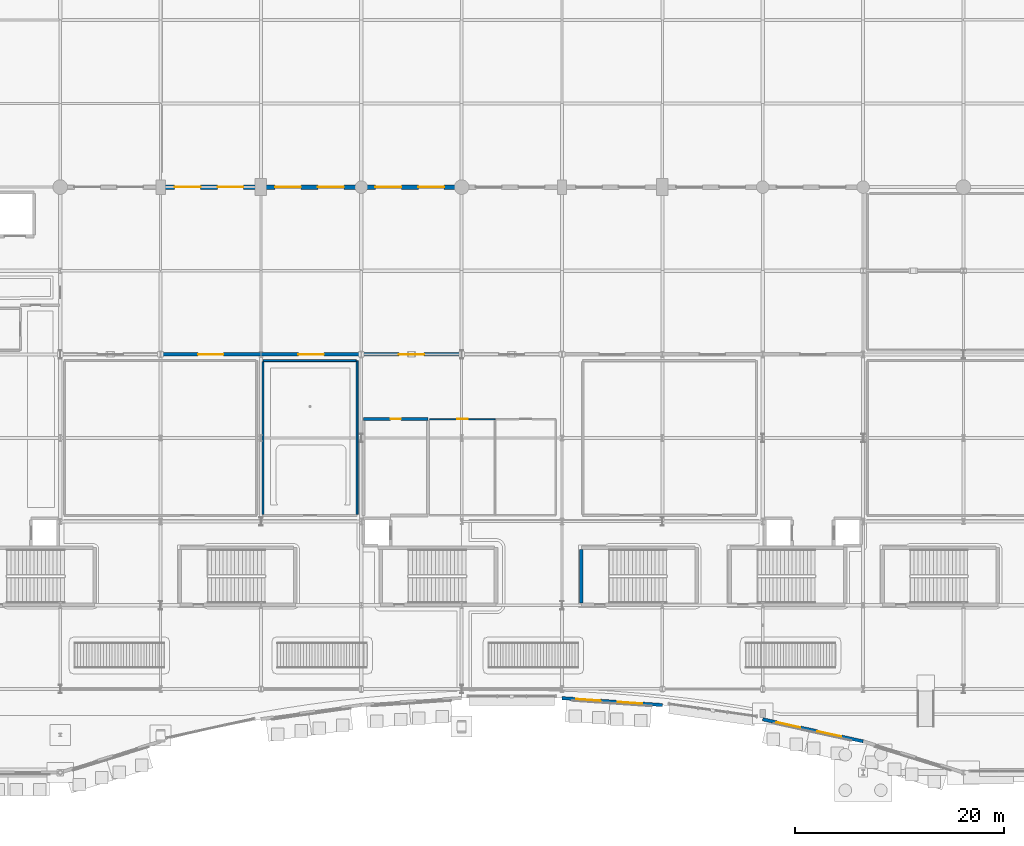
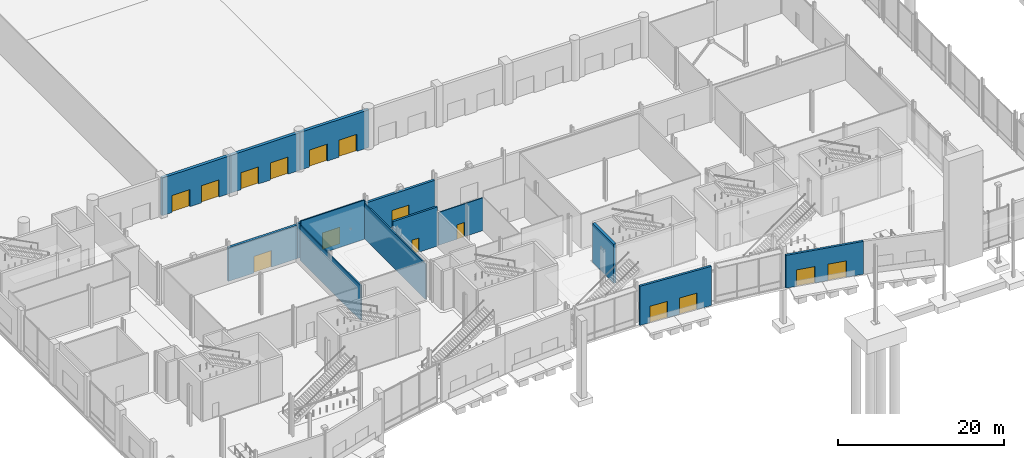
# One storey, part 74 of 124: 15 doors, 14 walls, 15 openings.
"""IFC4 building model written with IfcOpenShell, lengths in metres."""

from ifc_helpers import new_model, si_unit, direction, frame, frame_2d, origin, place, context, subcontext, project, spatial, rectangle, extrude, material, layer, layer_set, type_object, element, fill, save


model = new_model("IFC4")

# Units and contexts
model_context = context("Model", 3, precision=1e-05, world=origin(), true_north=direction((0.0, 1.0)))
body_context = subcontext(model_context, "Body", "Model", "MODEL_VIEW")
ifc_project = project(units=[si_unit("LENGTHUNIT", "METRE"), si_unit("AREAUNIT", "SQUARE_METRE"), si_unit("VOLUMEUNIT", "CUBIC_METRE"), si_unit("PLANEANGLEUNIT", "RADIAN"), si_unit("MASSUNIT", "GRAM", prefix="KILO")], contexts=[model_context])

# Site, building, storey
site_placement = place(None, origin())
site = spatial("IfcSite", under=ifc_project, at=site_placement, CompositionType="ELEMENT")
building_placement = place(site_placement, origin())
building = spatial("IfcBuilding", under=site, at=building_placement, Name="Danafjord Basin Convention Centre", CompositionType="ELEMENT")
storey_placement = place(building_placement, origin())
storey = spatial("IfcBuildingStorey", under=building, at=storey_placement, Name="L00", CompositionType="ELEMENT", Elevation=0.0)

# Wall
ifc_material_1 = material(Name="Concrete C45/55", Category="concrete")
ifc_layer_1 = layer(ifc_material_1, 0.35009765625)
ifc_layer_set_1 = layer_set([ifc_layer_1], Name="Concrete C45/55")
wall_type_1 = type_object("IfcWallType", Name="WALL-CW-CORE350", PredefinedType="SHEAR", material=ifc_layer_set_1)
wall_1_placement = place(storey_placement, frame((69.050048828125, 16.2099609375, 0.0), z_axis=(0.0, 0.0, 1.0), x_axis=(0.0, 1.0, 0.0)))
element("IfcWall", 1, at=wall_1_placement, inside=storey, type_object=wall_type_1, Name="Mid-Arc Escape Stair 2 core shear wall (west)", PredefinedType="SHEAR", context=body_context, shape_type="SweptSolid", body=[
    extrude(rectangle(XDim=5.14013671875, YDim=0.35009765625, at=frame_2d((2.570068359375, 0.0))), origin(), (0.0, 0.0, 1.0), 5.77001953125),
])

# Wall, openings, doors
ifc_material_2 = material(Name="Precast concrete C40/50", Category="concrete")
ifc_layer_2 = layer(ifc_material_2, 0.31005859375)
ifc_layer_set_2 = layer_set([ifc_layer_2], Name="Precast concrete C40/50")
wall_type_2 = type_object("IfcWallType", Name="WALL-EW-PC300", PredefinedType="SOLIDWALL", material=ifc_layer_set_2)
wall_2_placement = place(storey_placement, frame((67.199951171875, 7.116943359375, 0.0), z_axis=(0.0, 0.0, 1.0), x_axis=(0.99760914447, -0.069108573052, 0.0)))
wall_2 = element("IfcWall", 2, at=wall_2_placement, inside=storey, type_object=wall_type_2, Name="L00 harbourfront precast facade bay 8", PredefinedType="SOLIDWALL", context=body_context, shape_type="SweptSolid", body=[
    extrude(rectangle(XDim=9.623046875, YDim=0.31005859375, at=frame_2d((4.8115234375, 0.0))), origin(), (0.0, 0.0, 1.0), 5.77001953125),
])
opening_1_placement = place(wall_2_placement, frame((1.35009765625, 0.0, 0.0)))
opening_1 = element("IfcOpeningElement", 3, at=opening_1_placement, cuts=wall_2, Name="Opening ED-01", PredefinedType="OPENING", context=body_context, shape_type="SweptSolid", body=[
    extrude(rectangle(XDim=2.340087890625, YDim=2.419921875, at=frame_2d((1.169921875, 1.2099609375))), frame((0.0, 0.1650390625, 0.0), z_axis=(0.0, -1.0, 0.0), x_axis=(1.0, 0.0, 0.0)), (0.0, 0.0, 1.0), 0.330078125),
])
opening_2_placement = place(wall_2_placement, frame((5.35009765625, 0.0, 0.0)))
opening_2 = element("IfcOpeningElement", 4, at=opening_2_placement, cuts=wall_2, Name="Opening ED-01", PredefinedType="OPENING", context=body_context, shape_type="SweptSolid", body=[
    extrude(rectangle(XDim=2.340087890625, YDim=2.419921875, at=frame_2d((1.169921875, 1.2099609375))), frame((0.0, 0.1650390625, 0.0), z_axis=(0.0, -1.0, 0.0), x_axis=(1.0, 0.0, 0.0)), (0.0, 0.0, 1.0), 0.330078125),
])
ifc_material_3 = material(Name="Thermally broken anodised aluminium and steel", Category="steel")
door_type_1 = type_object("IfcDoorType", Name="DOOR-ED-01", OperationType="DOUBLE_DOOR_SINGLE_SWING", PredefinedType="DOOR", material=ifc_material_3)
door_1_placement = place(opening_1_placement, origin())
door_1 = element("IfcDoor", 5, at=door_1_placement, inside=storey, type_object=door_type_1, Name="Harbourfront Registration Entrance Door", OperationType="DOUBLE_DOOR_SINGLE_SWING", OverallHeight=2.419921875, OverallWidth=2.340087890625, PredefinedType="DOOR", context=body_context, shape_type="SweptSolid", body=[
    extrude(rectangle(XDim=2.340087890625, YDim=2.419921875, at=frame_2d((1.169921875, 1.2099609375))), frame((0.0, 0.02490234375, 0.0), z_axis=(0.0, -1.0, 0.0), x_axis=(1.0, 0.0, 0.0)), (0.0, 0.0, 1.0), 0.050048828125),
])
fill(opening_1, door_1)
door_2_placement = place(opening_2_placement, origin())
door_2 = element("IfcDoor", 6, at=door_2_placement, inside=storey, type_object=door_type_1, Name="Harbourfront Registration Entrance Door", OperationType="DOUBLE_DOOR_SINGLE_SWING", OverallHeight=2.419921875, OverallWidth=2.340087890625, PredefinedType="DOOR", context=body_context, shape_type="SweptSolid", body=[
    extrude(rectangle(XDim=2.340087890625, YDim=2.419921875, at=frame_2d((1.169921875, 1.2099609375))), frame((0.0, 0.02490234375, 0.0), z_axis=(0.0, -1.0, 0.0), x_axis=(1.0, 0.0, 0.0)), (0.0, 0.0, 1.0), 0.050048828125),
])
fill(opening_2, door_2)

wall_3_placement = place(storey_placement, frame((86.39990234375, 5.093017578125, 0.0), z_axis=(0.0, 0.0, 1.0), x_axis=(0.976622780686, -0.214960331795, 0.0)))
wall_3 = element("IfcWall", 7, at=wall_3_placement, inside=storey, type_object=wall_type_2, Name="L00 harbourfront precast facade bay 10", PredefinedType="SOLIDWALL", context=body_context, shape_type="SweptSolid", body=[
    extrude(rectangle(XDim=9.829833984375, YDim=0.31005859375, at=frame_2d((4.9150390625, 0.0))), origin(), (0.0, 0.0, 1.0), 4.840087890625),
])
opening_3_placement = place(wall_3_placement, frame((1.35009765625, 0.0, 0.0)))
opening_3 = element("IfcOpeningElement", 8, at=opening_3_placement, cuts=wall_3, Name="Opening ED-01", PredefinedType="OPENING", context=body_context, shape_type="SweptSolid", body=[
    extrude(rectangle(XDim=2.340087890625, YDim=2.419921875, at=frame_2d((1.169921875, 1.2099609375))), frame((0.0, 0.1650390625, 0.0), z_axis=(0.0, -1.0, 0.0), x_axis=(1.0, 0.0, 0.0)), (0.0, 0.0, 1.0), 0.330078125),
])
opening_4_placement = place(wall_3_placement, frame((5.35009765625, 0.0, 0.0)))
opening_4 = element("IfcOpeningElement", 9, at=opening_4_placement, cuts=wall_3, Name="Opening ED-01", PredefinedType="OPENING", context=body_context, shape_type="SweptSolid", body=[
    extrude(rectangle(XDim=2.340087890625, YDim=2.419921875, at=frame_2d((1.169921875, 1.2099609375))), frame((0.0, 0.1650390625, 0.0), z_axis=(0.0, -1.0, 0.0), x_axis=(1.0, 0.0, 0.0)), (0.0, 0.0, 1.0), 0.330078125),
])
door_3_placement = place(opening_3_placement, origin())
door_3 = element("IfcDoor", 10, at=door_3_placement, inside=storey, type_object=door_type_1, Name="Harbourfront Registration Entrance Door", OperationType="DOUBLE_DOOR_SINGLE_SWING", OverallHeight=2.419921875, OverallWidth=2.340087890625, PredefinedType="DOOR", context=body_context, shape_type="SweptSolid", body=[
    extrude(rectangle(XDim=2.340087890625, YDim=2.419921875, at=frame_2d((1.169921875, 1.2099609375))), frame((0.0, 0.02490234375, 0.0), z_axis=(0.0, -1.0, 0.0), x_axis=(1.0, 0.0, 0.0)), (0.0, 0.0, 1.0), 0.050048828125),
])
fill(opening_3, door_3)
door_4_placement = place(opening_4_placement, origin())
door_4 = element("IfcDoor", 11, at=door_4_placement, inside=storey, type_object=door_type_1, Name="Harbourfront Registration Entrance Door", OperationType="DOUBLE_DOOR_SINGLE_SWING", OverallHeight=2.419921875, OverallWidth=2.340087890625, PredefinedType="DOOR", context=body_context, shape_type="SweptSolid", body=[
    extrude(rectangle(XDim=2.340087890625, YDim=2.419921875, at=frame_2d((1.169921875, 1.2099609375))), frame((0.0, 0.02490234375, 0.0), z_axis=(0.0, -1.0, 0.0), x_axis=(1.0, 0.0, 0.0)), (0.0, 0.0, 1.0), 0.050048828125),
])
fill(opening_4, door_4)

# Wall, opening, door
ifc_layer_3 = layer(ifc_material_2, 0.340087890625)
ifc_layer_set_3 = layer_set([ifc_layer_3], Name="Precast concrete C40/50")
wall_type_3 = type_object("IfcWallType", Name="WALL-EW-PC340", PredefinedType="SOLIDWALL", material=ifc_layer_set_3)
wall_4_placement = place(storey_placement, frame((28.800048828125, 40.0, 0.0), z_axis=(0.0, 0.0, 1.0), x_axis=(1.0, 0.0, 0.0)))
wall_4 = element("IfcWall", 12, at=wall_4_placement, inside=storey, type_object=wall_type_3, Name="L00 courtyard north facade wall", PredefinedType="SOLIDWALL", context=body_context, shape_type="SweptSolid", body=[
    extrude(rectangle(XDim=9.599853515625, YDim=0.340087890625, at=frame_2d((4.7998046875, 0.0))), origin(), (0.0, 0.0, 1.0), 4.93994140625),
])
opening_5_placement = place(wall_4_placement, frame((3.590087890625, 0.0, 0.0)))
opening_5 = element("IfcOpeningElement", 13, at=opening_5_placement, cuts=wall_4, Name="Opening ED-03", PredefinedType="OPENING", context=body_context, shape_type="SweptSolid", body=[
    extrude(rectangle(XDim=2.419921875, YDim=2.4599609375, at=frame_2d((1.2099609375, 1.22998046875))), frame((0.0, 0.179931640625, 0.0), z_axis=(0.0, -1.0, 0.0), x_axis=(1.0, 0.0, 0.0)), (0.0, 0.0, 1.0), 0.360107421875),
])
door_type_2 = type_object("IfcDoorType", Name="DOOR-ED-03", OperationType="DOUBLE_DOOR_SINGLE_SWING", PredefinedType="DOOR", material=ifc_material_3)
door_5_placement = place(opening_5_placement, origin())
door_5 = element("IfcDoor", 14, at=door_5_placement, inside=storey, type_object=door_type_2, Name="Courtyard Concourse Exit Door", OperationType="DOUBLE_DOOR_SINGLE_SWING", OverallHeight=2.4599609375, OverallWidth=2.419921875, PredefinedType="DOOR", context=body_context, shape_type="SweptSolid", body=[
    extrude(rectangle(XDim=2.419921875, YDim=2.4599609375, at=frame_2d((1.2099609375, 1.22998046875))), frame((0.0, 0.02490234375, 0.0), z_axis=(0.0, -1.0, 0.0), x_axis=(1.0, 0.0, 0.0)), (0.0, 0.0, 1.0), 0.050048828125),
])
fill(opening_5, door_5)

wall_5_placement = place(storey_placement, frame((38.39990234375, 40.0, 0.0), z_axis=(0.0, 0.0, 1.0), x_axis=(1.0, 0.0, 0.0)))
wall_5 = element("IfcWall", 15, at=wall_5_placement, inside=storey, type_object=wall_type_3, Name="L00 courtyard north facade wall", PredefinedType="SOLIDWALL", context=body_context, shape_type="SweptSolid", body=[
    extrude(rectangle(XDim=9.60009765625, YDim=0.340087890625, at=frame_2d((4.800048828125, 0.0))), origin(), (0.0, 0.0, 1.0), 5.090087890625),
])
opening_6_placement = place(wall_5_placement, frame((3.590087890625, 0.0, 0.0)))
opening_6 = element("IfcOpeningElement", 16, at=opening_6_placement, cuts=wall_5, Name="Opening ED-03", PredefinedType="OPENING", context=body_context, shape_type="SweptSolid", body=[
    extrude(rectangle(XDim=2.419921875, YDim=2.4599609375, at=frame_2d((1.2099609375, 1.22998046875))), frame((0.0, 0.179931640625, 0.0), z_axis=(0.0, -1.0, 0.0), x_axis=(1.0, 0.0, 0.0)), (0.0, 0.0, 1.0), 0.360107421875),
])
door_6_placement = place(opening_6_placement, origin())
door_6 = element("IfcDoor", 17, at=door_6_placement, inside=storey, type_object=door_type_2, Name="Courtyard Concourse Exit Door", OperationType="DOUBLE_DOOR_SINGLE_SWING", OverallHeight=2.4599609375, OverallWidth=2.419921875, PredefinedType="DOOR", context=body_context, shape_type="SweptSolid", body=[
    extrude(rectangle(XDim=2.419921875, YDim=2.4599609375, at=frame_2d((1.2099609375, 1.22998046875))), frame((0.0, 0.02490234375, 0.0), z_axis=(0.0, -1.0, 0.0), x_axis=(1.0, 0.0, 0.0)), (0.0, 0.0, 1.0), 0.050048828125),
])
fill(opening_6, door_6)

wall_6_placement = place(storey_placement, frame((48.0, 40.0, 0.0), z_axis=(0.0, 0.0, 1.0), x_axis=(1.0, 0.0, 0.0)))
wall_6 = element("IfcWall", 18, at=wall_6_placement, inside=storey, type_object=wall_type_3, Name="L00 courtyard north facade wall", PredefinedType="SOLIDWALL", context=body_context, shape_type="SweptSolid", body=[
    extrude(rectangle(XDim=9.60009765625, YDim=0.340087890625, at=frame_2d((4.800048828125, 0.0))), origin(), (0.0, 0.0, 1.0), 4.840087890625),
])
opening_7_placement = place(wall_6_placement, frame((3.590087890625, 0.0, 0.0)))
opening_7 = element("IfcOpeningElement", 19, at=opening_7_placement, cuts=wall_6, Name="Opening ED-03", PredefinedType="OPENING", context=body_context, shape_type="SweptSolid", body=[
    extrude(rectangle(XDim=2.419921875, YDim=2.4599609375, at=frame_2d((1.2099609375, 1.22998046875))), frame((0.0, 0.179931640625, 0.0), z_axis=(0.0, -1.0, 0.0), x_axis=(1.0, 0.0, 0.0)), (0.0, 0.0, 1.0), 0.360107421875),
])
door_7_placement = place(opening_7_placement, origin())
door_7 = element("IfcDoor", 20, at=door_7_placement, inside=storey, type_object=door_type_2, Name="Courtyard Concourse Exit Door", OperationType="DOUBLE_DOOR_SINGLE_SWING", OverallHeight=2.4599609375, OverallWidth=2.419921875, PredefinedType="DOOR", context=body_context, shape_type="SweptSolid", body=[
    extrude(rectangle(XDim=2.419921875, YDim=2.4599609375, at=frame_2d((1.2099609375, 1.22998046875))), frame((0.0, 0.02490234375, 0.0), z_axis=(0.0, -1.0, 0.0), x_axis=(1.0, 0.0, 0.0)), (0.0, 0.0, 1.0), 0.050048828125),
])
fill(opening_7, door_7)

# Wall, openings, doors
ifc_material_4 = material(Name="Precast concrete C45/55", Category="concrete")
ifc_layer_4 = layer(ifc_material_4, 0.419921875)
ifc_layer_set_4 = layer_set([ifc_layer_4], Name="Precast concrete C45/55")
wall_type_4 = type_object("IfcWallType", Name="WALL-EW-PC420", PredefinedType="SOLIDWALL", material=ifc_layer_set_4)
wall_7_placement = place(storey_placement, frame((28.800048828125, 56.0, 0.0), z_axis=(0.0, 0.0, 1.0), x_axis=(1.0, 0.0, 0.0)))
wall_7 = element("IfcWall", 21, at=wall_7_placement, inside=storey, type_object=wall_type_4, Name="Exhibition hall S acoustic precast wall bay 4", PredefinedType="SOLIDWALL", context=body_context, shape_type="SweptSolid", body=[
    extrude(rectangle(XDim=9.599853515625, YDim=0.419921875, at=frame_2d((4.7998046875, 0.0))), origin(), (0.0, 0.0, 1.0), 5.550048828125),
])
opening_8_placement = place(wall_7_placement, frame((1.35009765625, 0.0, 0.0)))
opening_8 = element("IfcOpeningElement", 22, at=opening_8_placement, cuts=wall_7, Name="Opening ED-02", PredefinedType="OPENING", context=body_context, shape_type="SweptSolid", body=[
    extrude(rectangle(XDim=2.47998046875, YDim=2.52001953125, at=frame_2d((1.239990234375, 1.260009765625))), frame((0.0, 0.219970703125, 0.0), z_axis=(0.0, -1.0, 0.0), x_axis=(1.0, 0.0, 0.0)), (0.0, 0.0, 1.0), 0.43994140625),
])
opening_9_placement = place(wall_7_placement, frame((5.449951171875, 0.0, 0.0)))
opening_9 = element("IfcOpeningElement", 23, at=opening_9_placement, cuts=wall_7, Name="Opening ED-02", PredefinedType="OPENING", context=body_context, shape_type="SweptSolid", body=[
    extrude(rectangle(XDim=2.47998046875, YDim=2.52001953125, at=frame_2d((1.239990234375, 1.260009765625))), frame((0.0, 0.219970703125, 0.0), z_axis=(0.0, -1.0, 0.0), x_axis=(1.0, 0.0, 0.0)), (0.0, 0.0, 1.0), 0.43994140625),
])
door_type_3 = type_object("IfcDoorType", Name="DOOR-ED-02", OperationType="DOUBLE_DOOR_SINGLE_SWING", PredefinedType="DOOR", material=ifc_material_3)
door_8_placement = place(opening_8_placement, origin())
door_8 = element("IfcDoor", 24, at=door_8_placement, inside=storey, type_object=door_type_3, Name="Exhibition Hall Exit Door EX-08", OperationType="DOUBLE_DOOR_SINGLE_SWING", OverallHeight=2.52001953125, OverallWidth=2.47998046875, PredefinedType="DOOR", context=body_context, shape_type="SweptSolid", body=[
    extrude(rectangle(XDim=2.47998046875, YDim=2.52001953125, at=frame_2d((1.239990234375, 1.260009765625))), frame((0.0, 0.02490234375, 0.0), z_axis=(0.0, -1.0, 0.0), x_axis=(1.0, 0.0, 0.0)), (0.0, 0.0, 1.0), 0.050048828125),
])
fill(opening_8, door_8)
door_9_placement = place(opening_9_placement, origin())
door_9 = element("IfcDoor", 25, at=door_9_placement, inside=storey, type_object=door_type_3, Name="Exhibition Hall Exit Door EX-09", OperationType="DOUBLE_DOOR_SINGLE_SWING", OverallHeight=2.52001953125, OverallWidth=2.47998046875, PredefinedType="DOOR", context=body_context, shape_type="SweptSolid", body=[
    extrude(rectangle(XDim=2.47998046875, YDim=2.52001953125, at=frame_2d((1.239990234375, 1.260009765625))), frame((0.0, 0.02490234375, 0.0), z_axis=(0.0, -1.0, 0.0), x_axis=(1.0, 0.0, 0.0)), (0.0, 0.0, 1.0), 0.050048828125),
])
fill(opening_9, door_9)

wall_8_placement = place(storey_placement, frame((38.39990234375, 56.0, 0.0), z_axis=(0.0, 0.0, 1.0), x_axis=(1.0, 0.0, 0.0)))
wall_8 = element("IfcWall", 26, at=wall_8_placement, inside=storey, type_object=wall_type_4, Name="Exhibition hall S acoustic precast wall bay 5", PredefinedType="SOLIDWALL", context=body_context, shape_type="SweptSolid", body=[
    extrude(rectangle(XDim=9.60009765625, YDim=0.419921875, at=frame_2d((4.800048828125, 0.0))), origin(), (0.0, 0.0, 1.0), 5.550048828125),
])
opening_10_placement = place(wall_8_placement, frame((1.35009765625, 0.0, 0.0)))
opening_10 = element("IfcOpeningElement", 27, at=opening_10_placement, cuts=wall_8, Name="Opening ED-02", PredefinedType="OPENING", context=body_context, shape_type="SweptSolid", body=[
    extrude(rectangle(XDim=2.47998046875, YDim=2.52001953125, at=frame_2d((1.239990234375, 1.260009765625))), frame((0.0, 0.219970703125, 0.0), z_axis=(0.0, -1.0, 0.0), x_axis=(1.0, 0.0, 0.0)), (0.0, 0.0, 1.0), 0.43994140625),
])
opening_11_placement = place(wall_8_placement, frame((5.449951171875, 0.0, 0.0)))
opening_11 = element("IfcOpeningElement", 28, at=opening_11_placement, cuts=wall_8, Name="Opening ED-02", PredefinedType="OPENING", context=body_context, shape_type="SweptSolid", body=[
    extrude(rectangle(XDim=2.47998046875, YDim=2.52001953125, at=frame_2d((1.239990234375, 1.260009765625))), frame((0.0, 0.219970703125, 0.0), z_axis=(0.0, -1.0, 0.0), x_axis=(1.0, 0.0, 0.0)), (0.0, 0.0, 1.0), 0.43994140625),
])
door_10_placement = place(opening_10_placement, origin())
door_10 = element("IfcDoor", 29, at=door_10_placement, inside=storey, type_object=door_type_3, Name="Exhibition Hall Exit Door EX-11", OperationType="DOUBLE_DOOR_SINGLE_SWING", OverallHeight=2.52001953125, OverallWidth=2.47998046875, PredefinedType="DOOR", context=body_context, shape_type="SweptSolid", body=[
    extrude(rectangle(XDim=2.47998046875, YDim=2.52001953125, at=frame_2d((1.239990234375, 1.260009765625))), frame((0.0, 0.02490234375, 0.0), z_axis=(0.0, -1.0, 0.0), x_axis=(1.0, 0.0, 0.0)), (0.0, 0.0, 1.0), 0.050048828125),
])
fill(opening_10, door_10)
door_11_placement = place(opening_11_placement, origin())
door_11 = element("IfcDoor", 30, at=door_11_placement, inside=storey, type_object=door_type_3, Name="Exhibition Hall Exit Door EX-12", OperationType="DOUBLE_DOOR_SINGLE_SWING", OverallHeight=2.52001953125, OverallWidth=2.47998046875, PredefinedType="DOOR", context=body_context, shape_type="SweptSolid", body=[
    extrude(rectangle(XDim=2.47998046875, YDim=2.52001953125, at=frame_2d((1.239990234375, 1.260009765625))), frame((0.0, 0.02490234375, 0.0), z_axis=(0.0, -1.0, 0.0), x_axis=(1.0, 0.0, 0.0)), (0.0, 0.0, 1.0), 0.050048828125),
])
fill(opening_11, door_11)

wall_9_placement = place(storey_placement, frame((48.0, 56.0, 0.0), z_axis=(0.0, 0.0, 1.0), x_axis=(1.0, 0.0, 0.0)))
wall_9 = element("IfcWall", 31, at=wall_9_placement, inside=storey, type_object=wall_type_4, Name="Exhibition hall S acoustic precast wall bay 6", PredefinedType="SOLIDWALL", context=body_context, shape_type="SweptSolid", body=[
    extrude(rectangle(XDim=9.60009765625, YDim=0.419921875, at=frame_2d((4.800048828125, 0.0))), origin(), (0.0, 0.0, 1.0), 5.550048828125),
])
opening_12_placement = place(wall_9_placement, frame((1.35009765625, 0.0, 0.0)))
opening_12 = element("IfcOpeningElement", 32, at=opening_12_placement, cuts=wall_9, Name="Opening ED-02", PredefinedType="OPENING", context=body_context, shape_type="SweptSolid", body=[
    extrude(rectangle(XDim=2.47998046875, YDim=2.52001953125, at=frame_2d((1.239990234375, 1.260009765625))), frame((0.0, 0.219970703125, 0.0), z_axis=(0.0, -1.0, 0.0), x_axis=(1.0, 0.0, 0.0)), (0.0, 0.0, 1.0), 0.43994140625),
])
opening_13_placement = place(wall_9_placement, frame((5.449951171875, 0.0, 0.0)))
opening_13 = element("IfcOpeningElement", 33, at=opening_13_placement, cuts=wall_9, Name="Opening ED-02", PredefinedType="OPENING", context=body_context, shape_type="SweptSolid", body=[
    extrude(rectangle(XDim=2.47998046875, YDim=2.52001953125, at=frame_2d((1.239990234375, 1.260009765625))), frame((0.0, 0.219970703125, 0.0), z_axis=(0.0, -1.0, 0.0), x_axis=(1.0, 0.0, 0.0)), (0.0, 0.0, 1.0), 0.43994140625),
])
door_12_placement = place(opening_12_placement, origin())
door_12 = element("IfcDoor", 34, at=door_12_placement, inside=storey, type_object=door_type_3, Name="Exhibition Hall Exit Door EX-15", OperationType="DOUBLE_DOOR_SINGLE_SWING", OverallHeight=2.52001953125, OverallWidth=2.47998046875, PredefinedType="DOOR", context=body_context, shape_type="SweptSolid", body=[
    extrude(rectangle(XDim=2.47998046875, YDim=2.52001953125, at=frame_2d((1.239990234375, 1.260009765625))), frame((0.0, 0.02490234375, 0.0), z_axis=(0.0, -1.0, 0.0), x_axis=(1.0, 0.0, 0.0)), (0.0, 0.0, 1.0), 0.050048828125),
])
fill(opening_12, door_12)
door_13_placement = place(opening_13_placement, origin())
door_13 = element("IfcDoor", 35, at=door_13_placement, inside=storey, type_object=door_type_3, Name="Exhibition Hall Exit Door EX-16", OperationType="DOUBLE_DOOR_SINGLE_SWING", OverallHeight=2.52001953125, OverallWidth=2.47998046875, PredefinedType="DOOR", context=body_context, shape_type="SweptSolid", body=[
    extrude(rectangle(XDim=2.47998046875, YDim=2.52001953125, at=frame_2d((1.239990234375, 1.260009765625))), frame((0.0, 0.02490234375, 0.0), z_axis=(0.0, -1.0, 0.0), x_axis=(1.0, 0.0, 0.0)), (0.0, 0.0, 1.0), 0.050048828125),
])
fill(opening_13, door_13)

# Walls
ifc_material_5 = material(Name="Acoustic double-board gypsum stud partition")
ifc_layer_5 = layer(ifc_material_5, 0.175048828125)
ifc_layer_set_5 = layer_set([ifc_layer_5], Name="Acoustic double-board gypsum stud partition")
wall_type_5 = type_object("IfcWallType", Name="WALL-PT-AC175", PredefinedType="PARTITIONING", material=ifc_layer_set_5)
wall_10_placement = place(storey_placement, frame((47.60009765625, 24.69140625, 0.0), z_axis=(0.0, 0.0, 1.0), x_axis=(0.0, 1.0, 0.0)))
element("IfcWall", 36, at=wall_10_placement, inside=storey, type_object=wall_type_5, Name="Harbour Seminar Hall M01 east partition", PredefinedType="PARTITIONING", context=body_context, shape_type="SweptSolid", body=[
    extrude(rectangle(XDim=14.70849609375, YDim=0.175048828125, at=frame_2d((7.354248046875, 0.0))), origin(), (0.0, 0.0, 1.0), 5.18994140625),
])
wall_11_placement = place(storey_placement, frame((47.508544921875, 39.39990234375, 0.0), z_axis=(0.0, 0.0, 1.0), x_axis=(-1.0, 0.0, 0.0)))
element("IfcWall", 37, at=wall_11_placement, inside=storey, type_object=wall_type_5, Name="Harbour Seminar Hall M01 north partition", PredefinedType="PARTITIONING", context=body_context, shape_type="SweptSolid", body=[
    extrude(rectangle(XDim=8.908447265625, YDim=0.175048828125, at=frame_2d((4.4541015625, 0.0))), origin(), (0.0, 0.0, 1.0), 5.77001953125),
])
wall_12_placement = place(storey_placement, frame((38.60009765625, 39.30859375, 0.0), z_axis=(0.0, 0.0, 1.0), x_axis=(0.0, -1.0, 0.0)))
element("IfcWall", 38, at=wall_12_placement, inside=storey, type_object=wall_type_5, Name="Harbour Seminar Hall M01 west partition", PredefinedType="PARTITIONING", context=body_context, shape_type="SweptSolid", body=[
    extrude(rectangle(XDim=14.6171875, YDim=0.175048828125, at=frame_2d((7.30859375, 0.0))), origin(), (0.0, 0.0, 1.0), 5.139892578125),
])

# Wall, opening, door
ifc_material_6 = material(Name="Sanitary service-chase stud wall")
ifc_layer_6 = layer(ifc_material_6, 0.284912109375)
ifc_layer_set_6 = layer_set([ifc_layer_6], Name="Sanitary service-chase stud wall")
wall_type_6 = type_object("IfcWallType", Name="WALL-PT-PLB285", PredefinedType="PLUMBINGWALL", material=ifc_layer_set_6)
wall_13_placement = place(storey_placement, frame((54.39990234375, 33.800048828125, 0.0), z_axis=(0.0, 0.0, 1.0), x_axis=(-1.0, 0.0, 0.0)))
wall_13 = element("IfcWall", 39, at=wall_13_placement, inside=storey, type_object=wall_type_6, Name="Ground Concourse Male Toilet north partition", PredefinedType="PLUMBINGWALL", context=body_context, shape_type="SweptSolid", body=[
    extrude(rectangle(XDim=6.199951171875, YDim=0.284912109375, at=frame_2d((3.10009765625, 0.0))), origin(), (0.0, 0.0, 1.0), 5.77001953125),
])
opening_14_placement = place(wall_13_placement, frame((2.614990234375, 0.0, 0.0)))
opening_14 = element("IfcOpeningElement", 40, at=opening_14_placement, cuts=wall_13, Name="Opening FD-S03", PredefinedType="OPENING", context=body_context, shape_type="SweptSolid", body=[
    extrude(rectangle(XDim=0.969970703125, YDim=2.10009765625, at=frame_2d((0.48486328125, 1.050048828125))), frame((0.0, 0.15234375, 0.0), z_axis=(0.0, -1.0, 0.0), x_axis=(1.0, 0.0, 0.0)), (0.0, 0.0, 1.0), 0.304931640625),
])
ifc_material_7 = material(Name="Powder-coated steel and Nordic oak", Category="steel")
door_type_4 = type_object("IfcDoorType", Name="DOOR-FD-S03", OperationType="NOTDEFINED", PredefinedType="DOOR", material=ifc_material_7)
door_14_placement = place(opening_14_placement, origin())
door_14 = element("IfcDoor", 41, at=door_14_placement, inside=storey, type_object=door_type_4, Name="Ground Concourse Male Toilet Entrance Door", OperationType="SINGLE_SWING_LEFT", OverallHeight=2.10009765625, OverallWidth=0.969970703125, PredefinedType="DOOR", context=body_context, shape_type="SweptSolid", body=[
    extrude(rectangle(XDim=0.969970703125, YDim=2.10009765625, at=frame_2d((0.48486328125, 1.050048828125))), frame((0.0, 0.02490234375, 0.0), z_axis=(0.0, -1.0, 0.0), x_axis=(1.0, 0.0, 0.0)), (0.0, 0.0, 1.0), 0.050048828125),
])
fill(opening_14, door_14)

ifc_material_8 = material(Name="Moisture-resistant gypsum stud partition")
ifc_layer_7 = layer(ifc_material_8, 0.1201171875)
ifc_layer_set_7 = layer_set([ifc_layer_7], Name="Moisture-resistant gypsum stud partition")
wall_type_7 = type_object("IfcWallType", Name="WALL-PT-ST120", PredefinedType="PARTITIONING", material=ifc_layer_set_7)
wall_14_placement = place(storey_placement, frame((60.800048828125, 33.800048828125, 0.0), z_axis=(0.0, 0.0, 1.0), x_axis=(-1.0, 0.0, 0.0)))
wall_14 = element("IfcWall", 42, at=wall_14_placement, inside=storey, type_object=wall_type_7, Name="Ground Concourse Female Toilet north partition", PredefinedType="PARTITIONING", context=body_context, shape_type="SweptSolid", body=[
    extrude(rectangle(XDim=6.253662109375, YDim=0.1201171875, at=frame_2d((3.126953125, 0.0))), origin(), (0.0, 0.0, 1.0), 4.840087890625),
])
opening_15_placement = place(wall_14_placement, frame((2.626953125, 0.0, 0.0)))
opening_15 = element("IfcOpeningElement", 43, at=opening_15_placement, cuts=wall_14, Name="Opening FD-S04", PredefinedType="OPENING", context=body_context, shape_type="SweptSolid", body=[
    extrude(rectangle(XDim=1.0, YDim=2.1201171875, at=frame_2d((0.5, 1.06005859375))), frame((0.0, 0.070068359375, 0.0), z_axis=(0.0, -1.0, 0.0), x_axis=(1.0, 0.0, 0.0)), (0.0, 0.0, 1.0), 0.14013671875),
])
door_type_5 = type_object("IfcDoorType", Name="DOOR-FD-S04", OperationType="NOTDEFINED", PredefinedType="DOOR", material=ifc_material_7)
door_15_placement = place(opening_15_placement, origin())
door_15 = element("IfcDoor", 44, at=door_15_placement, inside=storey, type_object=door_type_5, Name="Ground Concourse Female Toilet Entrance Door", OperationType="SINGLE_SWING_RIGHT", OverallHeight=2.1201171875, OverallWidth=1.0, PredefinedType="DOOR", context=body_context, shape_type="SweptSolid", body=[
    extrude(rectangle(XDim=1.0, YDim=2.1201171875, at=frame_2d((0.5, 1.06005859375))), frame((0.0, 0.02490234375, 0.0), z_axis=(0.0, -1.0, 0.0), x_axis=(1.0, 0.0, 0.0)), (0.0, 0.0, 1.0), 0.050048828125),
])
fill(opening_15, door_15)

save(model, "model.ifc")
